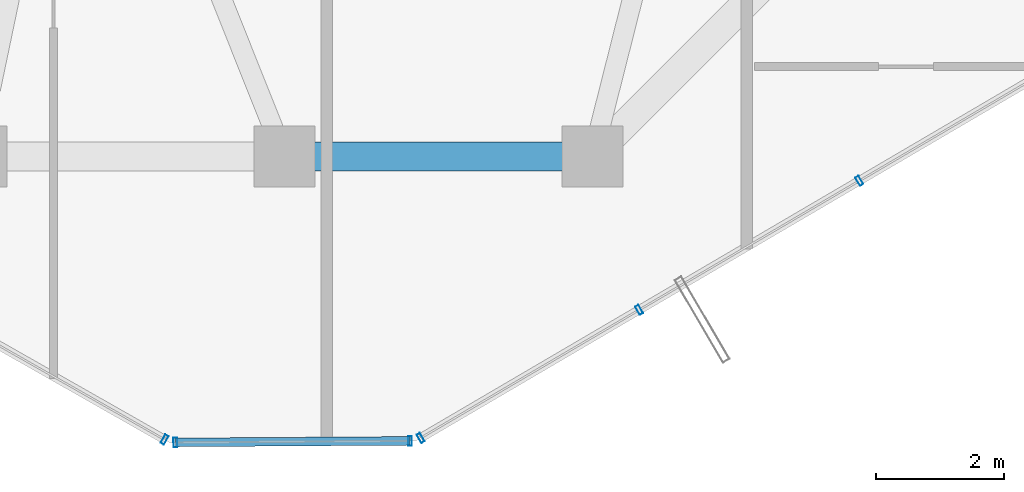
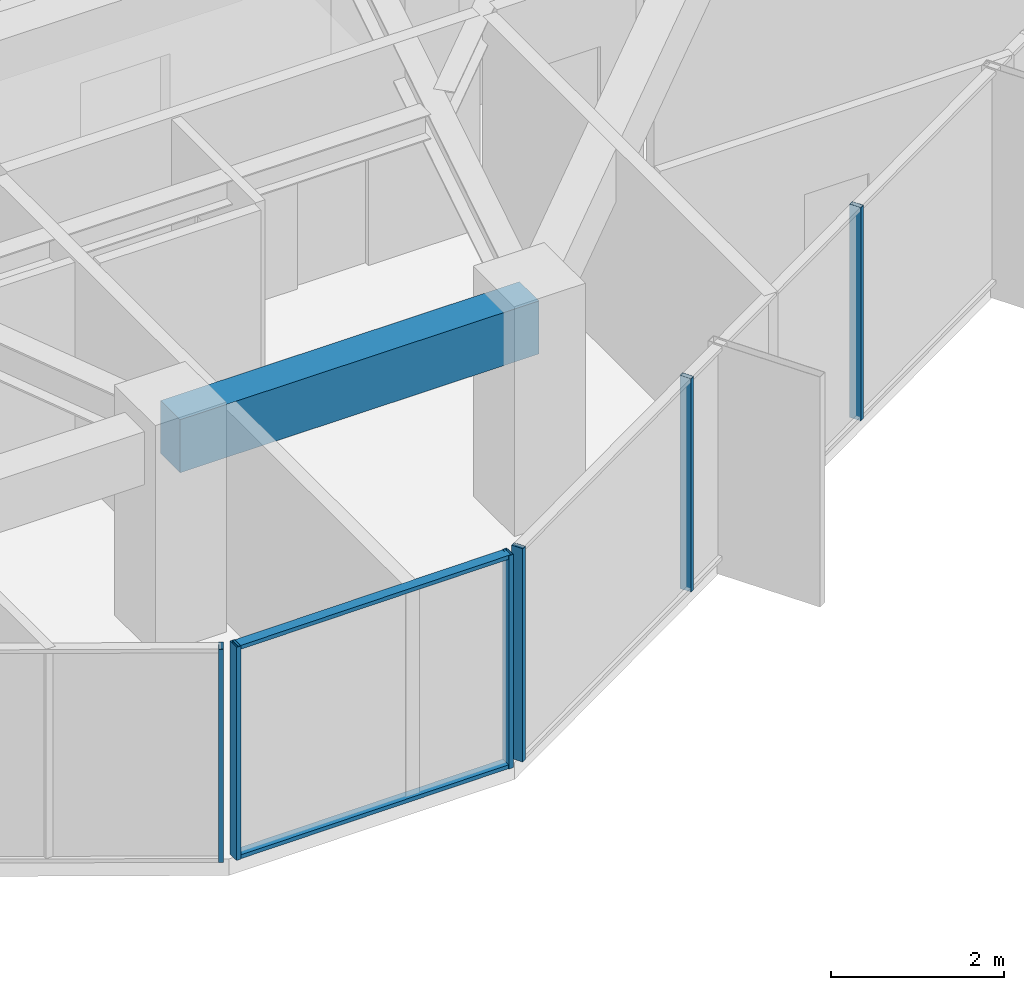
# One storey, part 7 of 31: 8 members, 1 beam, 3 elements without a shape of their own.
"""IFC4 building model written with IfcOpenShell, lengths in metres."""

from ifc_helpers import new_model, si_unit, direction, frame, origin, origin_2d, place, context, subcontext, project, spatial, rectangle, hollow_rectangle, extrude, source, transform, mapped, material, layer, layer_set, material_profile, profile_set, type_object, element, aggregate, save


model = new_model("IFC4")

# Units and contexts
model_context = context("Model", 3, precision=1e-05, world=origin(), true_north=direction((0.0, 1.0)))
body_context = subcontext(model_context, "Body", "Model", "MODEL_VIEW")
ifc_project = project(units=[si_unit("LENGTHUNIT", "METRE"), si_unit("AREAUNIT", "SQUARE_METRE"), si_unit("VOLUMEUNIT", "CUBIC_METRE"), si_unit("PLANEANGLEUNIT", "RADIAN"), si_unit("MASSUNIT", "GRAM", prefix="KILO")], contexts=[model_context])

# Site, building, storey
site_placement = place(None, origin())
site = spatial("IfcSite", under=ifc_project, at=site_placement, CompositionType="ELEMENT")
building_placement = place(site_placement, origin())
building = spatial("IfcBuilding", under=site, at=building_placement, Name="Veraguas Prism Commons", CompositionType="ELEMENT")
storey_placement = place(building_placement, frame((0.0, 0.0, 204.85009765625)))
storey = spatial("IfcBuildingStorey", under=building, at=storey_placement, Name="L58", CompositionType="ELEMENT", Elevation=204.85009765625)

# Beam
ifc_material_1 = material(Name="Concrete C50/60", Category="concrete")
ifc_material_profile_1 = material_profile(ifc_material_1, rectangle(XDim=0.449951171875, YDim=0.75, at=origin_2d()), Name="RC450X750")
ifc_profile_set_1 = profile_set([ifc_material_profile_1], Name="Concrete C50/60")
beam_type = type_object("IfcBeamType", Name="Perimeter Spandrel Upper RC 450x750", PredefinedType="SPANDREL", material=ifc_profile_set_1)
beam_placement = place(storey_placement, frame((24.0, 9.10009765625, 2.639892578125), z_axis=(1.0, 0.0, 0.0), x_axis=(0.0, 1.0, 0.0)))
element("IfcBeam", 1, at=beam_placement, inside=storey, type_object=beam_type, Name="Perimeter Spandrel Beam L58-SP11", PredefinedType="SPANDREL", context=body_context, shape_type="SweptSolid", body=[
    extrude(rectangle(XDim=0.449951171875, YDim=0.75, at=origin_2d()), origin(), (0.0, 0.0, 1.0), 4.800048828125),
])

# Curtain wall, member
ifc_material_2 = material(Name="Anodised aluminium EN AW-6063 T6", Category="aluminium")
ifc_layer = layer(ifc_material_2, 0.14990234375, Name="Unitised Flush Curtain Wall Zone 3", Category="aluminium")
ifc_layer_set = layer_set([ifc_layer], Name="Anodised aluminium EN AW-6063 T6")
curtain_wall_type = type_object("IfcCurtainWallType", Name="Unitised Flush Curtain Wall Zone 3", PredefinedType="NOTDEFINED", material=ifc_layer_set)
curtain_wall_1_placement = place(storey_placement, origin())
curtain_wall_1 = element("IfcCurtainWall", 2, at=curtain_wall_1_placement, inside=storey, type_object=curtain_wall_type, Name="Tower Facade Curtain Wall L58-F4", PredefinedType="NOTDEFINED")
ifc_material_profile_2 = material_profile(ifc_material_2, hollow_rectangle(XDim=0.06005859375, YDim=0.14990234375, WallThickness=0.0029296875, at=origin_2d()), Name="AL60X150X3")
ifc_profile_set_2 = profile_set([ifc_material_profile_2], Name="Anodised aluminium EN AW-6063 T6")
member_type_1 = type_object("IfcMemberType", Name="Curtain Wall Mullion Upper AL 60x150x3", PredefinedType="MULLION", material=ifc_profile_set_2)
shared_shape_1 = source(origin(), body_context, "Body", "SweptSolid", [
    extrude(hollow_rectangle(XDim=0.06005859375, YDim=0.14990234375, WallThickness=0.0029296875, at=origin_2d()), origin(), (0.0, 0.0, 1.0), 3.014892578125),
])
member_1_placement = place(storey_placement, frame((22.1328125, 4.689208984375, 0.0), z_axis=(0.0, 0.0, 1.0), x_axis=(0.869323320918, -0.494243830218, 0.0)))
member_1 = element("IfcMember", 3, at=member_1_placement, type_object=member_type_1, Name="CW-Z3 Mullion 5", PredefinedType="MULLION", context=body_context, shape_type="MappedRepresentation", body=[
    mapped(shared_shape_1, transform((0.0, 0.0, 0.0), scale=1.0)),
])
aggregate(curtain_wall_1, [member_1])

# Curtain wall, members
curtain_wall_2_placement = place(storey_placement, origin())
curtain_wall_2 = element("IfcCurtainWall", 4, at=curtain_wall_2_placement, inside=storey, type_object=curtain_wall_type, Name="Tower Facade Curtain Wall L58-F5", PredefinedType="NOTDEFINED")
member_2_placement = place(storey_placement, frame((26.123046875, 4.715576171875, 0.0), z_axis=(0.0, 0.0, 1.0), x_axis=(0.86268584238, 0.505740187604, 0.0)))
member_2 = element("IfcMember", 5, at=member_2_placement, type_object=member_type_1, Name="CW-Z3 Mullion 1", PredefinedType="MULLION", context=body_context, shape_type="MappedRepresentation", body=[
    mapped(shared_shape_1, transform((0.0, 0.0, 0.0), scale=1.0)),
])
member_3_placement = place(storey_placement, frame((29.52685546875, 6.7109375, 0.0), z_axis=(0.0, 0.0, 1.0), x_axis=(0.86268584238, 0.505740187604, 0.0)))
member_3 = element("IfcMember", 6, at=member_3_placement, type_object=member_type_1, Name="CW-Z3 Mullion 2", PredefinedType="MULLION", context=body_context, shape_type="MappedRepresentation", body=[
    mapped(shared_shape_1, transform((0.0, 0.0, 0.0), scale=1.0)),
])
member_4_placement = place(storey_placement, frame((32.95654296875, 8.721435546875, 0.0), z_axis=(0.0, 0.0, 1.0), x_axis=(0.86268584238, 0.505740187604, 0.0)))
member_4 = element("IfcMember", 7, at=member_4_placement, type_object=member_type_1, Name="CW-Z3 Mullion 3", PredefinedType="MULLION", context=body_context, shape_type="MappedRepresentation", body=[
    mapped(shared_shape_1, transform((0.0, 0.0, 0.0), scale=1.0)),
])
aggregate(curtain_wall_2, [member_2, member_3, member_4])

curtain_wall_3_placement = place(storey_placement, origin())
curtain_wall_3 = element("IfcCurtainWall", 8, at=curtain_wall_3_placement, inside=storey, type_object=curtain_wall_type, Name="Chamfer Curtain Wall L58-C5", PredefinedType="NOTDEFINED")
member_5_placement = place(storey_placement, frame((22.301025390625, 4.645263671875, 0.0), z_axis=(0.0, 0.0, 1.0), x_axis=(0.999978064542, 0.006623476081, 0.0)))
member_5 = element("IfcMember", 9, at=member_5_placement, type_object=member_type_1, Name="CW-Z3 Mullion 1", PredefinedType="MULLION", context=body_context, shape_type="MappedRepresentation", body=[
    mapped(shared_shape_1, transform((0.0, 0.0, 0.0), scale=1.0)),
])
member_6_placement = place(storey_placement, frame((25.955322265625, 4.66943359375, 0.0), z_axis=(0.0, 0.0, 1.0), x_axis=(0.999978064542, 0.006623476081, 0.0)))
member_6 = element("IfcMember", 10, at=member_6_placement, type_object=member_type_1, Name="CW-Z3 Mullion 2", PredefinedType="MULLION", context=body_context, shape_type="MappedRepresentation", body=[
    mapped(shared_shape_1, transform((0.0, 0.0, 0.0), scale=1.0)),
])
ifc_material_profile_3 = material_profile(ifc_material_2, hollow_rectangle(XDim=0.054931640625, YDim=0.135009765625, WallThickness=0.0029296875, at=origin_2d()), Name="AL55X135X3")
ifc_profile_set_3 = profile_set([ifc_material_profile_3], Name="Anodised aluminium EN AW-6063 T6")
member_type_2 = type_object("IfcMemberType", Name="Curtain Wall Transom Standard AL 55x135x3", PredefinedType="USERDEFINED", material=ifc_profile_set_3)
shared_shape_2 = source(origin(), body_context, "Body", "SweptSolid", [
    extrude(hollow_rectangle(XDim=0.054931640625, YDim=0.135009765625, WallThickness=0.0029296875, at=origin_2d()), origin(), (0.0, 0.0, 1.0), 3.654296875),
])
member_7_placement = place(storey_placement, frame((22.301025390625, 4.645263671875, 0.02734375), z_axis=(0.999978127491, 0.006613965434, 0.0), x_axis=(0.0, 0.0, 1.0)))
member_7 = element("IfcMember", 11, at=member_7_placement, type_object=member_type_2, Name="CW-Z3 Transom 1", ObjectType="TRANSOM", PredefinedType="USERDEFINED", context=body_context, shape_type="MappedRepresentation", body=[
    mapped(shared_shape_2, transform((0.0, 0.0, 0.0), scale=1.0)),
])
member_8_placement = place(storey_placement, frame((22.301025390625, 4.645263671875, 2.9873046875), z_axis=(0.999978127491, 0.006613965434, 0.0), x_axis=(0.0, 0.0, 1.0)))
member_8 = element("IfcMember", 12, at=member_8_placement, type_object=member_type_2, Name="CW-Z3 Transom 2", ObjectType="TRANSOM", PredefinedType="USERDEFINED", context=body_context, shape_type="MappedRepresentation", body=[
    mapped(shared_shape_2, transform((0.0, 0.0, 0.0), scale=1.0)),
])
aggregate(curtain_wall_3, [member_5, member_6, member_7, member_8])

save(model, "model.ifc")
